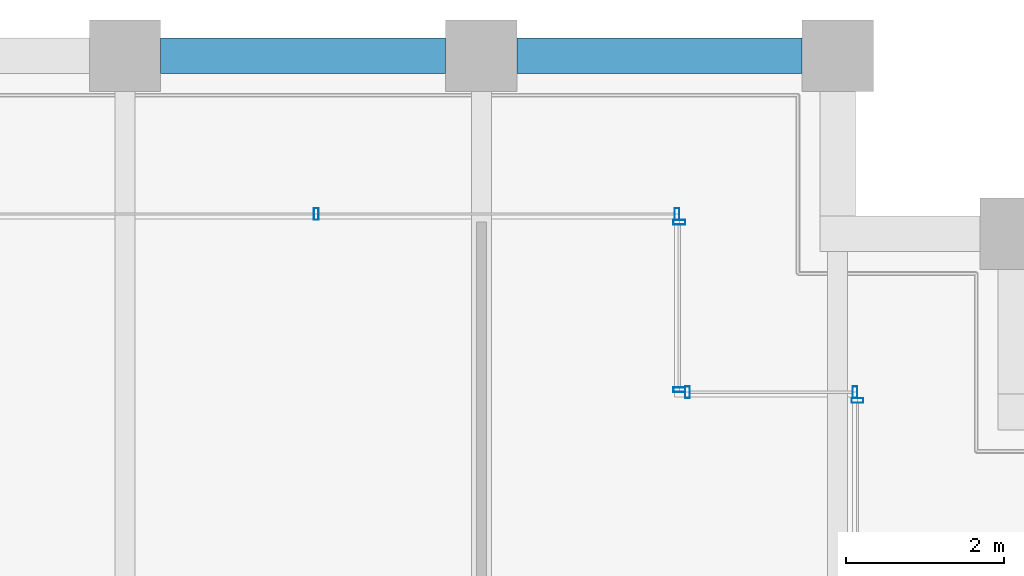
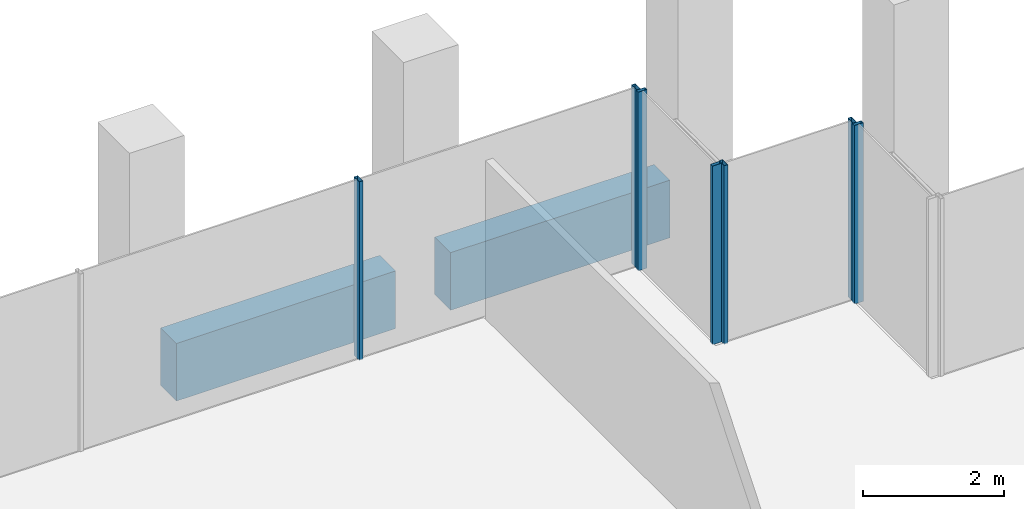
# One storey, part 26 of 40: 7 members, 2 beams, 4 elements without a shape of their own.
"""IFC4 building model written with IfcOpenShell, lengths in metres."""

from ifc_helpers import new_model, si_unit, direction, frame, origin, origin_2d, place, context, subcontext, project, spatial, rectangle, hollow_rectangle, extrude, material, material_profile, profile_set, type_object, element, aggregate, save


model = new_model("IFC4")

# Units and contexts
model_context = context("Model", 3, precision=1e-05, world=origin(), true_north=direction((0.0, 1.0)))
body_context = subcontext(model_context, "Body", "Model", "MODEL_VIEW")
ifc_project = project(units=[si_unit("LENGTHUNIT", "METRE"), si_unit("AREAUNIT", "SQUARE_METRE"), si_unit("VOLUMEUNIT", "CUBIC_METRE"), si_unit("PLANEANGLEUNIT", "RADIAN"), si_unit("MASSUNIT", "GRAM", prefix="KILO")], contexts=[model_context])

# Site, building, storey
site_placement = place(None, origin())
site = spatial("IfcSite", under=ifc_project, at=site_placement, CompositionType="ELEMENT")
building_placement = place(site_placement, origin())
building = spatial("IfcBuilding", under=site, at=building_placement, Name="Altepetl Exchange Towers", CompositionType="ELEMENT")
storey_placement = place(building_placement, frame((0.0, 0.0, 161.800048828125)))
storey = spatial("IfcBuildingStorey", under=building, at=storey_placement, Name="L40", CompositionType="ELEMENT", Elevation=161.800048828125)

# Curtain wall, member
ifc_material_1 = material(Name="Aluminium 6063-T6 glazing", Category="aluminium")
curtain_wall_type = type_object("IfcCurtainWallType", Name="Loggia glazing system", PredefinedType="NOTDEFINED", material=ifc_material_1)
curtain_wall_1_placement = place(storey_placement, origin())
curtain_wall_1 = element("IfcCurtainWall", 1, at=curtain_wall_1_placement, inside=storey, type_object=curtain_wall_type, Name="CW1 run", PredefinedType="NOTDEFINED")
ifc_material_2 = material(Name="Aluminium 6063-T6", Category="aluminium")
ifc_material_profile_1 = material_profile(ifc_material_2, hollow_rectangle(XDim=0.06005859375, YDim=0.14990234375, WallThickness=0.0029296875, at=origin_2d()), Name="Mullion 60x150 aluminium")
ifc_profile_set_1 = profile_set([ifc_material_profile_1], Name="Aluminium 6063-T6")
member_type = type_object("IfcMemberType", Name="Mullion 60x150 aluminium", PredefinedType="MULLION", material=ifc_profile_set_1)
member_1_placement = place(storey_placement, frame((67.75, 67.64501953125, 0.0), z_axis=(0.0, 0.0, 1.0), x_axis=(0.0, 1.0, 0.0)))
member_1 = element("IfcMember", 2, at=member_1_placement, type_object=member_type, Name="MU1 mullion", PredefinedType="MULLION", context=body_context, shape_type="SweptSolid", body=[
    extrude(hollow_rectangle(XDim=0.06005859375, YDim=0.14990234375, WallThickness=0.0029296875, at=origin_2d()), origin(), (0.0, 0.0, 1.0), 3.099853515625),
])
aggregate(curtain_wall_1, [member_1])

# Curtain wall, members
curtain_wall_2_placement = place(storey_placement, origin())
curtain_wall_2 = element("IfcCurtainWall", 3, at=curtain_wall_2_placement, inside=storey, type_object=curtain_wall_type, Name="CW1 run", PredefinedType="NOTDEFINED")
member_2_placement = place(storey_placement, frame((67.719970703125, 67.75, 0.0), z_axis=(0.0, 0.0, 1.0), x_axis=(-1.0, 0.0, 0.0)))
member_2 = element("IfcMember", 4, at=member_2_placement, type_object=member_type, Name="MU1 mullion", PredefinedType="MULLION", context=body_context, shape_type="SweptSolid", body=[
    extrude(hollow_rectangle(XDim=0.06005859375, YDim=0.14990234375, WallThickness=0.0029296875, at=origin_2d()), origin(), (0.0, 0.0, 1.0), 3.099853515625),
])
member_3_placement = place(storey_placement, frame((65.60498046875, 67.75, 0.0), z_axis=(0.0, 0.0, 1.0), x_axis=(-1.0, 0.0, 0.0)))
member_3 = element("IfcMember", 5, at=member_3_placement, type_object=member_type, Name="MU1 mullion", PredefinedType="MULLION", context=body_context, shape_type="SweptSolid", body=[
    extrude(hollow_rectangle(XDim=0.06005859375, YDim=0.14990234375, WallThickness=0.0029296875, at=origin_2d()), origin(), (0.0, 0.0, 1.0), 3.099853515625),
])
aggregate(curtain_wall_2, [member_2, member_3])

curtain_wall_3_placement = place(storey_placement, origin())
curtain_wall_3 = element("IfcCurtainWall", 6, at=curtain_wall_3_placement, inside=storey, type_object=curtain_wall_type, Name="CW1 run", PredefinedType="NOTDEFINED")
member_4_placement = place(storey_placement, frame((65.5, 67.780029296875, 0.0), z_axis=(0.0, 0.0, 1.0), x_axis=(0.0, 1.0, 0.0)))
member_4 = element("IfcMember", 7, at=member_4_placement, type_object=member_type, Name="MU1 mullion", PredefinedType="MULLION", context=body_context, shape_type="SweptSolid", body=[
    extrude(hollow_rectangle(XDim=0.06005859375, YDim=0.14990234375, WallThickness=0.0029296875, at=origin_2d()), origin(), (0.0, 0.0, 1.0), 3.099853515625),
])
member_5_placement = place(storey_placement, frame((65.5, 69.89501953125, 0.0), z_axis=(0.0, 0.0, 1.0), x_axis=(0.0, 1.0, 0.0)))
member_5 = element("IfcMember", 8, at=member_5_placement, type_object=member_type, Name="MU1 mullion", PredefinedType="MULLION", context=body_context, shape_type="SweptSolid", body=[
    extrude(hollow_rectangle(XDim=0.06005859375, YDim=0.14990234375, WallThickness=0.0029296875, at=origin_2d()), origin(), (0.0, 0.0, 1.0), 3.099853515625),
])
aggregate(curtain_wall_3, [member_4, member_5])

curtain_wall_4_placement = place(storey_placement, origin())
curtain_wall_4 = element("IfcCurtainWall", 9, at=curtain_wall_4_placement, inside=storey, type_object=curtain_wall_type, Name="CW1 run", PredefinedType="NOTDEFINED")
member_6_placement = place(storey_placement, frame((65.469970703125, 70.0, 0.0), z_axis=(0.0, 0.0, 1.0), x_axis=(-1.0, 0.0, 0.0)))
member_6 = element("IfcMember", 10, at=member_6_placement, type_object=member_type, Name="MU1 mullion", PredefinedType="MULLION", context=body_context, shape_type="SweptSolid", body=[
    extrude(hollow_rectangle(XDim=0.06005859375, YDim=0.14990234375, WallThickness=0.0029296875, at=origin_2d()), origin(), (0.0, 0.0, 1.0), 3.099853515625),
])
member_7_placement = place(storey_placement, frame((60.9150390625, 70.0, 0.0), z_axis=(0.0, 0.0, 1.0), x_axis=(-1.0, 0.0, 0.0)))
member_7 = element("IfcMember", 11, at=member_7_placement, type_object=member_type, Name="MU1 mullion", PredefinedType="MULLION", context=body_context, shape_type="SweptSolid", body=[
    extrude(hollow_rectangle(XDim=0.06005859375, YDim=0.14990234375, WallThickness=0.0029296875, at=origin_2d()), origin(), (0.0, 0.0, 1.0), 3.099853515625),
])
aggregate(curtain_wall_4, [member_6, member_7])

# Beams
ifc_material_3 = material(Name="Concrete C50/60 precast with cantera rosa facing", Category="concrete")
ifc_material_profile_2 = material_profile(ifc_material_3, rectangle(XDim=0.449951171875, YDim=1.0, at=origin_2d()), Name="450 x 1000")
ifc_profile_set_2 = profile_set([ifc_material_profile_2], Name="Concrete C50/60 precast with cantera rosa facing")
beam_type = type_object("IfcBeamType", Name="Spandrel beam 450x1000 cantera rosa", PredefinedType="SPANDREL", material=ifc_profile_set_2)
for number, where, z_axis, x_axis, name in (
    (12, (67.050048828125, 72.0, -0.650146484375), (-1.0, 0.0, 0.0), (0.0, -1.0, 0.0), "sp:A:L40:024"),
    (13, (62.550048828125, 72.0, -0.650146484375), (-1.0, 0.0, 0.0), (0.0, -1.0, 0.0), "sp:A:L40:025"),
):
    element("IfcBeam", number, at=place(storey_placement, frame(where, z_axis=z_axis, x_axis=x_axis)), inside=storey, type_object=beam_type, Name=name, PredefinedType="SPANDREL", context=body_context, shape_type="SweptSolid", body=[
        extrude(rectangle(XDim=0.449951171875, YDim=1.0, at=origin_2d()), origin(), (0.0, 0.0, 1.0), 3.60009765625),
    ])

save(model, "model.ifc")
